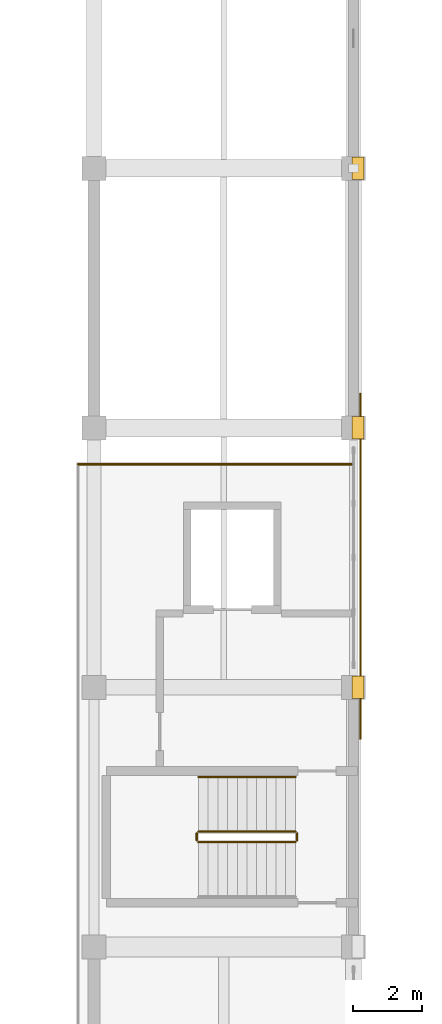
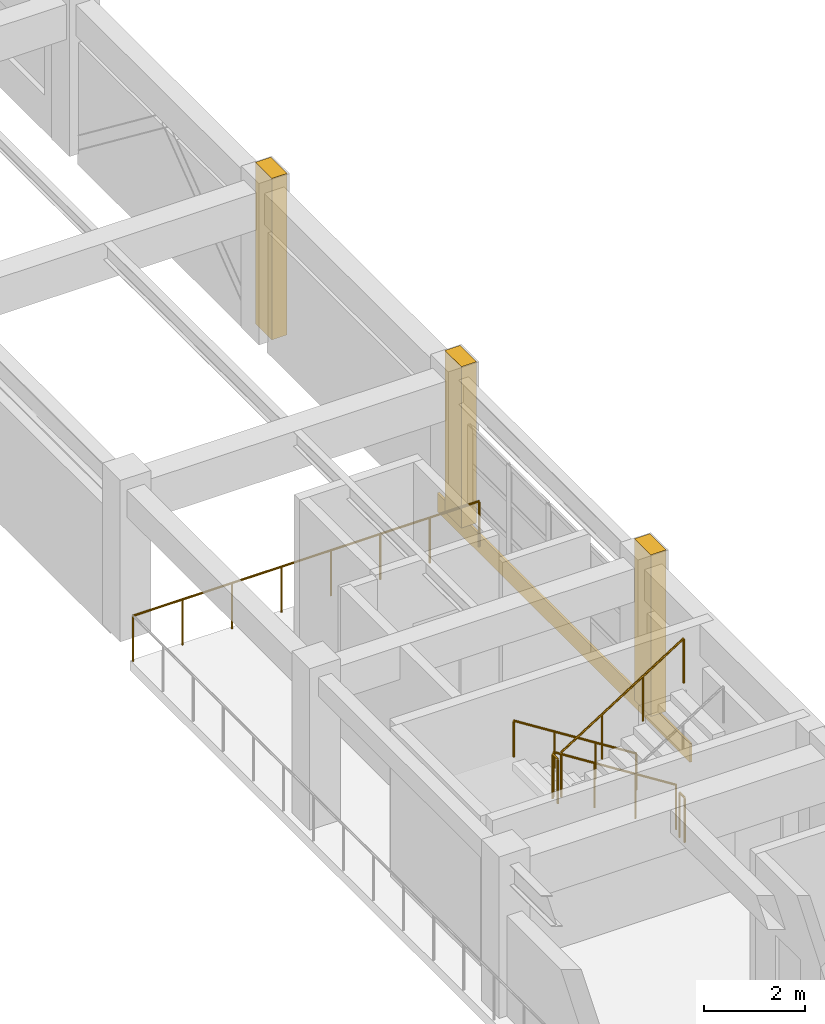
# One storey, part 78 of 82: 6 railings, 4 coverings.
"""IFC4 building model written with IfcOpenShell, lengths in metres."""

from ifc_helpers import new_model, si_unit, direction, frame, origin, origin_2d, place, context, subcontext, project, spatial, rectangle, circle, extrude, material, layer, layer_set, type_object, element, save


model = new_model("IFC4")

# Units and contexts
model_context = context("Model", 3, precision=1e-05, world=origin(), true_north=direction((0.0, 1.0)))
body_context = subcontext(model_context, "Body", "Model", "MODEL_VIEW")
ifc_project = project(units=[si_unit("LENGTHUNIT", "METRE"), si_unit("AREAUNIT", "SQUARE_METRE"), si_unit("VOLUMEUNIT", "CUBIC_METRE"), si_unit("PLANEANGLEUNIT", "RADIAN"), si_unit("MASSUNIT", "GRAM", prefix="KILO")], contexts=[model_context])

# Site, building, storey
site_placement = place(None, origin())
site = spatial("IfcSite", under=ifc_project, at=site_placement, CompositionType="ELEMENT")
building_placement = place(site_placement, origin())
building = spatial("IfcBuilding", under=site, at=building_placement, Name="Qasida Concert Hall", CompositionType="ELEMENT")
storey_placement = place(building_placement, frame((0.0, 0.0, 17.10009765625)))
storey = spatial("IfcBuildingStorey", under=building, at=storey_placement, Name="L04", CompositionType="ELEMENT", Elevation=17.10009765625)

# Coverings
ifc_material_1 = material(Name="Glazed Levantine geometric terracotta spandrel relief", Category="masonry")
ifc_layer_1 = layer(ifc_material_1, 0.050048828125, Name="Glazed Levantine geometric terracotta spandrel relief")
ifc_layer_set_1 = layer_set([ifc_layer_1], Name="Glazed Levantine geometric terracotta spandrel relief")
covering_type_1 = type_object("IfcCoveringType", Name="CV-CL-1", PredefinedType="CLADDING", material=ifc_layer_set_1)
covering_placement = place(storey_placement, frame((105.199951171875, 56.0, -0.47509765625), z_axis=(0.0, 0.0, 1.0), x_axis=(1.0, 0.0, 0.0)))
element("IfcCovering", 1, at=covering_placement, inside=storey, type_object=covering_type_1, Name="L04 terracotta spandrel frieze E04", PredefinedType="CLADDING", context=body_context, shape_type="SweptSolid", body=[
    extrude(rectangle(XDim=0.050048828125, YDim=10.0, at=origin_2d()), origin(), (0.0, 0.0, 1.0), 0.449951171875),
])
ifc_material_2 = material(Name="Projecting fluted Lebanese limestone Art Deco pilaster", Category="masonry")
ifc_layer_2 = layer(ifc_material_2, 0.35009765625, Name="Projecting fluted Lebanese limestone Art Deco pilaster")
ifc_layer_set_2 = layer_set([ifc_layer_2], Name="Projecting fluted Lebanese limestone Art Deco pilaster")
covering_type_2 = type_object("IfcCoveringType", Name="CV-PIL-650", PredefinedType="CLADDING", material=ifc_layer_set_2)
for number, where, z_axis, x_axis, name in (
    (2, (105.135009765625, 52.5, 0.0), (0.0, 0.0, 1.0), (1.0, 0.0, 0.0), "L04 fluted limestone pilaster 0054"),
    (3, (105.135009765625, 60.0, 0.0), (0.0, 0.0, 1.0), (1.0, 0.0, 0.0), "L04 fluted limestone pilaster 0068"),
    (4, (105.135009765625, 67.5, 0.0), (0.0, 0.0, 1.0), (1.0, 0.0, 0.0), "L04 fluted limestone pilaster 0082"),
):
    element("IfcCovering", number, at=place(storey_placement, frame(where, z_axis=z_axis, x_axis=x_axis)), inside=storey, type_object=covering_type_2, Name=name, PredefinedType="CLADDING", context=body_context, shape_type="SweptSolid", body=[
        extrude(rectangle(XDim=0.35009765625, YDim=0.64990234375, at=origin_2d()), origin(), (0.0, 0.0, 1.0), 3.89990234375),
    ])

# Railings
ifc_material_3 = material(Name="Patinated architectural bronze and laminated glass infill", Category="glass")
ifc_layer_3 = layer(ifc_material_3, 0.080078125, Name="Patinated architectural bronze and laminated glass infill")
ifc_layer_set_3 = layer_set([ifc_layer_3], Name="Patinated architectural bronze and laminated glass infill")
railing_type_1 = type_object("IfcRailingType", Name="RL-GRD-1100", PredefinedType="GUARDRAIL", material=ifc_layer_set_3)
railing_1_placement = place(storey_placement, frame((97.0400390625, 58.949951171875, 0.0)))
element("IfcRailing", 5, at=railing_1_placement, inside=storey, type_object=railing_type_1, Name="L04 Symphony upper gallery guardrail 0117", PredefinedType="GUARDRAIL", context=body_context, shape_type="SweptSolid", body=[
    extrude(circle(Radius=0.02392578125, at=origin_2d()), frame((0.0, 0.0, 1.09619140625), z_axis=(1.0, 0.0, 0.0), x_axis=(0.0, 1.0, 0.0)), (0.0, 0.0, 1.0), 7.909912109375),
    extrude(circle(Radius=0.02099609375, at=origin_2d()), origin(), (0.0, 0.0, 1.0), 1.072021484375),
    extrude(circle(Radius=0.02099609375, at=origin_2d()), frame((1.1298828125, 0.0, 0.0)), (0.0, 0.0, 1.0), 1.072021484375),
    extrude(circle(Radius=0.02099609375, at=origin_2d()), frame((2.260009765625, 0.0, 0.0)), (0.0, 0.0, 1.0), 1.072021484375),
    extrude(circle(Radius=0.02099609375, at=origin_2d()), frame((3.389892578125, 0.0, 0.0)), (0.0, 0.0, 1.0), 1.072021484375),
    extrude(circle(Radius=0.02099609375, at=origin_2d()), frame((4.52001953125, 0.0, 0.0)), (0.0, 0.0, 1.0), 1.072021484375),
    extrude(circle(Radius=0.02099609375, at=origin_2d()), frame((5.64990234375, 0.0, 0.0)), (0.0, 0.0, 1.0), 1.072021484375),
    extrude(circle(Radius=0.02099609375, at=origin_2d()), frame((6.780029296875, 0.0, 0.0)), (0.0, 0.0, 1.0), 1.072021484375),
    extrude(circle(Radius=0.02099609375, at=origin_2d()), frame((7.909912109375, 0.0, 0.0)), (0.0, 0.0, 1.0), 1.072021484375),
])
railing_2_placement = place(storey_placement, frame((103.320068359375, 48.330078125, 0.17724609375)))
element("IfcRailing", 6, at=railing_2_placement, inside=storey, type_object=railing_type_1, Name="L04 ST-02 stair guard 1", PredefinedType="GUARDRAIL", context=body_context, shape_type="SweptSolid", body=[
    extrude(circle(Radius=0.02392578125, at=origin_2d()), frame((0.0, 0.0, 1.076171875), z_axis=(-0.844908973607, 0.0, 0.534910110503), x_axis=(0.0, -1.0, 0.0)), (0.0, 0.0, 1.0), 3.31396484375),
    extrude(circle(Radius=0.02099609375, at=origin_2d()), origin(), (0.0, 0.0, 1.0), 1.052001953125),
    extrude(circle(Radius=0.02099609375, at=origin_2d()), frame((-0.933349609375, 0.0, 0.5908203125)), (0.0, 0.0, 1.0), 1.052001953125),
    extrude(circle(Radius=0.02099609375, at=origin_2d()), frame((-1.86669921875, 0.0, 1.181884765625)), (0.0, 0.0, 1.0), 1.052001953125),
    extrude(circle(Radius=0.02099609375, at=origin_2d()), frame((-2.800048828125, 0.0, 1.772705078125)), (0.0, 0.0, 1.0), 1.052001953125),
])
railing_3_placement = place(storey_placement, frame((100.469970703125, 48.280029296875, 1.949951171875)))
element("IfcRailing", 7, at=railing_3_placement, inside=storey, type_object=railing_type_1, Name="L04 ST-02 stair guard 2", PredefinedType="GUARDRAIL", context=body_context, shape_type="SweptSolid", body=[
    extrude(circle(Radius=0.02392578125, at=origin_2d()), frame((0.0, 0.0, 1.076171875), z_axis=(0.0, -1.0, 0.0), x_axis=(1.0, 0.0, 0.0)), (0.0, 0.0, 1.0), 0.199951171875),
    extrude(circle(Radius=0.02099609375, at=origin_2d()), origin(), (0.0, 0.0, 1.0), 1.052001953125),
    extrude(circle(Radius=0.02099609375, at=origin_2d()), frame((0.0, -0.199951171875, 0.0)), (0.0, 0.0, 1.0), 1.052001953125),
])
railing_4_placement = place(storey_placement, frame((100.52001953125, 48.030029296875, 2.127197265625)))
element("IfcRailing", 8, at=railing_4_placement, inside=storey, type_object=railing_type_1, Name="L04 ST-02 stair guard 3", PredefinedType="GUARDRAIL", context=body_context, shape_type="SweptSolid", body=[
    extrude(circle(Radius=0.02392578125, at=origin_2d()), frame((0.0, 0.0, 1.076171875), z_axis=(0.844908973607, 0.0, 0.534910110503), x_axis=(0.0, 1.0, 0.0)), (0.0, 0.0, 1.0), 3.31396484375),
    extrude(circle(Radius=0.02099609375, at=origin_2d()), origin(), (0.0, 0.0, 1.0), 1.052001953125),
    extrude(circle(Radius=0.02099609375, at=origin_2d()), frame((0.933349609375, 0.0, 0.5908203125)), (0.0, 0.0, 1.0), 1.052001953125),
    extrude(circle(Radius=0.02099609375, at=origin_2d()), frame((1.86669921875, 0.0, 1.181884765625)), (0.0, 0.0, 1.0), 1.052001953125),
    extrude(circle(Radius=0.02099609375, at=origin_2d()), frame((2.800048828125, 0.0, 1.772705078125)), (0.0, 0.0, 1.0), 1.052001953125),
])
railing_5_placement = place(storey_placement, frame((103.3701171875, 48.280029296875, 0.0)))
element("IfcRailing", 9, at=railing_5_placement, inside=storey, type_object=railing_type_1, Name="L04 ST-02 stair guard 4", PredefinedType="GUARDRAIL", context=body_context, shape_type="SweptSolid", body=[
    extrude(circle(Radius=0.02392578125, at=origin_2d()), frame((0.0, 0.0, 1.076171875), z_axis=(0.0, -1.0, 0.0), x_axis=(1.0, 0.0, 0.0)), (0.0, 0.0, 1.0), 0.199951171875),
    extrude(circle(Radius=0.02099609375, at=origin_2d()), origin(), (0.0, 0.0, 1.0), 1.052001953125),
    extrude(circle(Radius=0.02099609375, at=origin_2d()), frame((0.0, -0.199951171875, 0.0)), (0.0, 0.0, 1.0), 1.052001953125),
])
ifc_material_4 = material(Name="Patinated tubular architectural bronze", Category="steel")
ifc_layer_4 = layer(ifc_material_4, 0.050048828125, Name="Patinated tubular architectural bronze")
ifc_layer_set_4 = layer_set([ifc_layer_4], Name="Patinated tubular architectural bronze")
railing_type_2 = type_object("IfcRailingType", Name="RL-HND-900", PredefinedType="HANDRAIL", material=ifc_layer_set_4)
railing_6_placement = place(storey_placement, frame((103.320068359375, 49.909912109375, 0.17724609375)))
element("IfcRailing", 10, at=railing_6_placement, inside=storey, type_object=railing_type_2, Name="L04 ST-02 stair handrail 1", PredefinedType="HANDRAIL", context=body_context, shape_type="SweptSolid", body=[
    extrude(circle(Radius=0.02392578125, at=origin_2d()), frame((0.0, 0.0, 0.8759765625), z_axis=(-0.844908973607, 0.0, 0.534910110503), x_axis=(0.0, -1.0, 0.0)), (0.0, 0.0, 1.0), 3.31396484375),
    extrude(circle(Radius=0.02099609375, at=origin_2d()), origin(), (0.0, 0.0, 1.0), 0.851806640625),
    extrude(circle(Radius=0.02099609375, at=origin_2d()), frame((-0.933349609375, 0.0, 0.5908203125)), (0.0, 0.0, 1.0), 0.851806640625),
    extrude(circle(Radius=0.02099609375, at=origin_2d()), frame((-1.86669921875, 0.0, 1.181884765625)), (0.0, 0.0, 1.0), 0.851806640625),
    extrude(circle(Radius=0.02099609375, at=origin_2d()), frame((-2.800048828125, 0.0, 1.772705078125)), (0.0, 0.0, 1.0), 0.851806640625),
])

save(model, "model.ifc")
